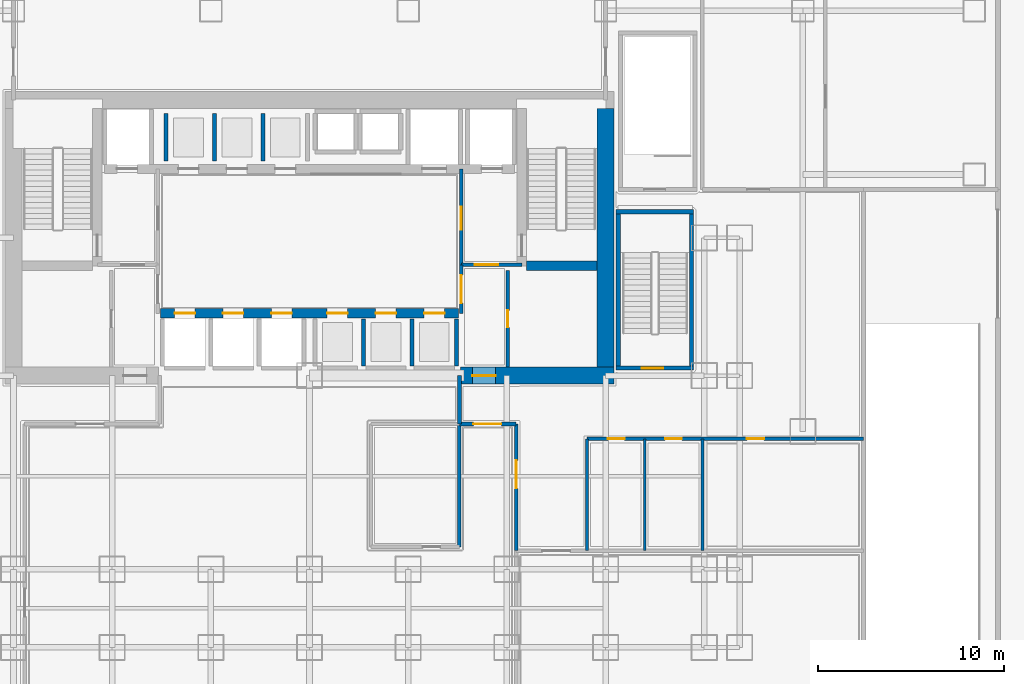
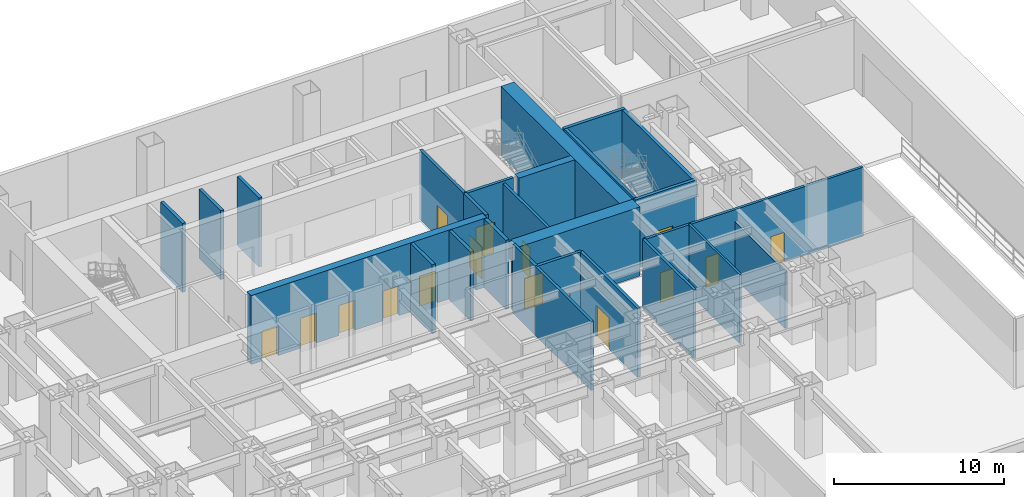
# One storey, part 12 of 18: 26 walls, 17 doors, 17 openings.
"""IFC4 building model written with IfcOpenShell, lengths in metres."""

from ifc_helpers import new_model, si_unit, direction, frame, frame_2d, origin, place, context, subcontext, project, spatial, rectangle, extrude, material, layer, layer_set, type_object, element, fill, save


model = new_model("IFC4")

# Units and contexts
model_context = context("Model", 3, precision=1e-05, world=origin(), true_north=direction((0.0, 1.0)))
body_context = subcontext(model_context, "Body", "Model", "MODEL_VIEW")
ifc_project = project(units=[si_unit("LENGTHUNIT", "METRE"), si_unit("AREAUNIT", "SQUARE_METRE"), si_unit("VOLUMEUNIT", "CUBIC_METRE"), si_unit("PLANEANGLEUNIT", "RADIAN"), si_unit("MASSUNIT", "GRAM", prefix="KILO")], contexts=[model_context])

# Site, building, storey
site_placement = place(None, origin())
site = spatial("IfcSite", under=ifc_project, at=site_placement, CompositionType="ELEMENT")
building_placement = place(site_placement, origin())
building = spatial("IfcBuilding", under=site, at=building_placement, Name="Qianlan Lanfeng Residences", CompositionType="ELEMENT")
storey_placement = place(building_placement, origin())
storey = spatial("IfcBuildingStorey", under=building, at=storey_placement, Name="L00", CompositionType="ELEMENT", Elevation=0.0)

# Wall
ifc_material_1 = material(Name="Concrete C70", Category="concrete")
ifc_layer_1 = layer(ifc_material_1, 0.5)
ifc_layer_set_1 = layer_set([ifc_layer_1], Name="Concrete C70")
wall_type_1 = type_object("IfcWallType", Name="CW-RC-500", PredefinedType="SHEAR", material=ifc_layer_set_1)
wall_1_placement = place(storey_placement, frame((38.14990234375, 31.10009765625, 0.0), z_axis=(0.0, 0.0, 1.0), x_axis=(1.0, 0.0, 0.0)))
element("IfcWall", 1, at=wall_1_placement, inside=storey, type_object=wall_type_1, Name="L00 Core Shear Wall ST2S", PredefinedType="SHEAR", context=body_context, shape_type="SweptSolid", body=[
    extrude(rectangle(XDim=3.800048828125, YDim=0.5, at=frame_2d((1.89990234375, 0.0))), origin(), (0.0, 0.0, 1.0), 4.949951171875),
])

# Wall, openings, doors
wall_2_placement = place(storey_placement, frame((18.5, 28.550048828125, 0.0), z_axis=(0.0, 0.0, 1.0), x_axis=(1.0, 0.0, 0.0)))
wall_2 = element("IfcWall", 2, at=wall_2_placement, inside=storey, type_object=wall_type_1, Name="L00 Core Shear Wall LBS", PredefinedType="SHEAR", context=body_context, shape_type="SweptSolid", body=[
    extrude(rectangle(XDim=16.0, YDim=0.5, at=frame_2d((8.0, 0.0))), origin(), (0.0, 0.0, 1.0), 4.949951171875),
])
opening_1_placement = place(wall_2_placement, frame((0.75, 0.0, 0.0)))
opening_1 = element("IfcOpeningElement", 3, at=opening_1_placement, cuts=wall_2, Name="Opening L00-LD-PL-L1", PredefinedType="OPENING", context=body_context, shape_type="SweptSolid", body=[
    extrude(rectangle(XDim=1.10009765625, YDim=2.14990234375, at=frame_2d((0.550048828125, 1.074951171875))), frame((0.0, 0.260009765625, 0.0), z_axis=(0.0, -1.0, 0.0), x_axis=(1.0, 0.0, 0.0)), (0.0, 0.0, 1.0), 0.52001953125),
])
opening_2_placement = place(wall_2_placement, frame((3.35009765625, 0.0, 0.0)))
opening_2 = element("IfcOpeningElement", 4, at=opening_2_placement, cuts=wall_2, Name="Opening L00-LD-PL-L2", PredefinedType="OPENING", context=body_context, shape_type="SweptSolid", body=[
    extrude(rectangle(XDim=1.10009765625, YDim=2.14990234375, at=frame_2d((0.550048828125, 1.074951171875))), frame((0.0, 0.260009765625, 0.0), z_axis=(0.0, -1.0, 0.0), x_axis=(1.0, 0.0, 0.0)), (0.0, 0.0, 1.0), 0.52001953125),
])
opening_3_placement = place(wall_2_placement, frame((5.949951171875, 0.0, 0.0)))
opening_3 = element("IfcOpeningElement", 5, at=opening_3_placement, cuts=wall_2, Name="Opening L00-LD-PL-L3", PredefinedType="OPENING", context=body_context, shape_type="SweptSolid", body=[
    extrude(rectangle(XDim=1.10009765625, YDim=2.14990234375, at=frame_2d((0.550048828125, 1.074951171875))), frame((0.0, 0.260009765625, 0.0), z_axis=(0.0, -1.0, 0.0), x_axis=(1.0, 0.0, 0.0)), (0.0, 0.0, 1.0), 0.52001953125),
])
opening_4_placement = place(wall_2_placement, frame((8.949951171875, 0.0, 0.0)))
opening_4 = element("IfcOpeningElement", 6, at=opening_4_placement, cuts=wall_2, Name="Opening L00-LD-PL-M1", PredefinedType="OPENING", context=body_context, shape_type="SweptSolid", body=[
    extrude(rectangle(XDim=1.10009765625, YDim=2.14990234375, at=frame_2d((0.550048828125, 1.074951171875))), frame((0.0, 0.260009765625, 0.0), z_axis=(0.0, -1.0, 0.0), x_axis=(1.0, 0.0, 0.0)), (0.0, 0.0, 1.0), 0.52001953125),
])
opening_5_placement = place(wall_2_placement, frame((11.550048828125, 0.0, 0.0)))
opening_5 = element("IfcOpeningElement", 7, at=opening_5_placement, cuts=wall_2, Name="Opening L00-LD-PL-M2", PredefinedType="OPENING", context=body_context, shape_type="SweptSolid", body=[
    extrude(rectangle(XDim=1.10009765625, YDim=2.14990234375, at=frame_2d((0.550048828125, 1.074951171875))), frame((0.0, 0.260009765625, 0.0), z_axis=(0.0, -1.0, 0.0), x_axis=(1.0, 0.0, 0.0)), (0.0, 0.0, 1.0), 0.52001953125),
])
opening_6_placement = place(wall_2_placement, frame((14.14990234375, 0.0, 0.0)))
opening_6 = element("IfcOpeningElement", 8, at=opening_6_placement, cuts=wall_2, Name="Opening L00-LD-PL-M3", PredefinedType="OPENING", context=body_context, shape_type="SweptSolid", body=[
    extrude(rectangle(XDim=1.10009765625, YDim=2.14990234375, at=frame_2d((0.550048828125, 1.074951171875))), frame((0.0, 0.260009765625, 0.0), z_axis=(0.0, -1.0, 0.0), x_axis=(1.0, 0.0, 0.0)), (0.0, 0.0, 1.0), 0.52001953125),
])
ifc_material_2 = material(Name="Brushed Stainless Steel Sliding Lift Door", Category="steel")
door_type_1 = type_object("IfcDoorType", Name="LD-01", OperationType="NOTDEFINED", PredefinedType="DOOR", material=ifc_material_2)
door_1_placement = place(opening_1_placement, origin())
door_1 = element("IfcDoor", 9, at=door_1_placement, inside=storey, type_object=door_type_1, Name="L00 Elevator PL-L1 Sliding Landing Door", OperationType="DOUBLE_DOOR_SLIDING", OverallHeight=2.14990234375, OverallWidth=1.10009765625, PredefinedType="DOOR", context=body_context, shape_type="SweptSolid", body=[
    extrude(rectangle(XDim=1.10009765625, YDim=2.14990234375, at=frame_2d((0.550048828125, 1.074951171875))), frame((0.0, 0.02490234375, 0.0), z_axis=(0.0, -1.0, 0.0), x_axis=(1.0, 0.0, 0.0)), (0.0, 0.0, 1.0), 0.050048828125),
])
fill(opening_1, door_1)
door_2_placement = place(opening_2_placement, origin())
door_2 = element("IfcDoor", 10, at=door_2_placement, inside=storey, type_object=door_type_1, Name="L00 Elevator PL-L2 Sliding Landing Door", OperationType="DOUBLE_DOOR_SLIDING", OverallHeight=2.14990234375, OverallWidth=1.10009765625, PredefinedType="DOOR", context=body_context, shape_type="SweptSolid", body=[
    extrude(rectangle(XDim=1.10009765625, YDim=2.14990234375, at=frame_2d((0.550048828125, 1.074951171875))), frame((0.0, 0.02490234375, 0.0), z_axis=(0.0, -1.0, 0.0), x_axis=(1.0, 0.0, 0.0)), (0.0, 0.0, 1.0), 0.050048828125),
])
fill(opening_2, door_2)
door_3_placement = place(opening_3_placement, origin())
door_3 = element("IfcDoor", 11, at=door_3_placement, inside=storey, type_object=door_type_1, Name="L00 Elevator PL-L3 Sliding Landing Door", OperationType="DOUBLE_DOOR_SLIDING", OverallHeight=2.14990234375, OverallWidth=1.10009765625, PredefinedType="DOOR", context=body_context, shape_type="SweptSolid", body=[
    extrude(rectangle(XDim=1.10009765625, YDim=2.14990234375, at=frame_2d((0.550048828125, 1.074951171875))), frame((0.0, 0.02490234375, 0.0), z_axis=(0.0, -1.0, 0.0), x_axis=(1.0, 0.0, 0.0)), (0.0, 0.0, 1.0), 0.050048828125),
])
fill(opening_3, door_3)
door_4_placement = place(opening_4_placement, origin())
door_4 = element("IfcDoor", 12, at=door_4_placement, inside=storey, type_object=door_type_1, Name="L00 Elevator PL-M1 Sliding Landing Door", OperationType="DOUBLE_DOOR_SLIDING", OverallHeight=2.14990234375, OverallWidth=1.10009765625, PredefinedType="DOOR", context=body_context, shape_type="SweptSolid", body=[
    extrude(rectangle(XDim=1.10009765625, YDim=2.14990234375, at=frame_2d((0.550048828125, 1.074951171875))), frame((0.0, 0.02490234375, 0.0), z_axis=(0.0, -1.0, 0.0), x_axis=(1.0, 0.0, 0.0)), (0.0, 0.0, 1.0), 0.050048828125),
])
fill(opening_4, door_4)
door_5_placement = place(opening_5_placement, origin())
door_5 = element("IfcDoor", 13, at=door_5_placement, inside=storey, type_object=door_type_1, Name="L00 Elevator PL-M2 Sliding Landing Door", OperationType="DOUBLE_DOOR_SLIDING", OverallHeight=2.14990234375, OverallWidth=1.10009765625, PredefinedType="DOOR", context=body_context, shape_type="SweptSolid", body=[
    extrude(rectangle(XDim=1.10009765625, YDim=2.14990234375, at=frame_2d((0.550048828125, 1.074951171875))), frame((0.0, 0.02490234375, 0.0), z_axis=(0.0, -1.0, 0.0), x_axis=(1.0, 0.0, 0.0)), (0.0, 0.0, 1.0), 0.050048828125),
])
fill(opening_5, door_5)
door_6_placement = place(opening_6_placement, origin())
door_6 = element("IfcDoor", 14, at=door_6_placement, inside=storey, type_object=door_type_1, Name="L00 Elevator PL-M3 Sliding Landing Door", OperationType="DOUBLE_DOOR_SLIDING", OverallHeight=2.14990234375, OverallWidth=1.10009765625, PredefinedType="DOOR", context=body_context, shape_type="SweptSolid", body=[
    extrude(rectangle(XDim=1.10009765625, YDim=2.14990234375, at=frame_2d((0.550048828125, 1.074951171875))), frame((0.0, 0.02490234375, 0.0), z_axis=(0.0, -1.0, 0.0), x_axis=(1.0, 0.0, 0.0)), (0.0, 0.0, 1.0), 0.050048828125),
])
fill(opening_6, door_6)

# Wall
ifc_layer_2 = layer(ifc_material_1, 0.89990234375)
ifc_layer_set_2 = layer_set([ifc_layer_2], Name="Concrete C70")
wall_type_2 = type_object("IfcWallType", Name="CW-RC-900", PredefinedType="SHEAR", material=ifc_layer_set_2)
wall_3_placement = place(storey_placement, frame((42.39990234375, 25.64990234375, 0.0), z_axis=(0.0, 0.0, 1.0), x_axis=(0.0, 1.0, 0.0)))
element("IfcWall", 15, at=wall_3_placement, inside=storey, type_object=wall_type_2, Name="L00 Core Shear Wall E", PredefinedType="SHEAR", context=body_context, shape_type="SweptSolid", body=[
    extrude(rectangle(XDim=13.900146484375, YDim=0.89990234375, at=frame_2d((6.9501953125, 0.0))), origin(), (0.0, 0.0, 1.0), 4.949951171875),
])

# Wall, opening, door
wall_4_placement = place(storey_placement, frame((34.60009765625, 25.199951171875, 0.0), z_axis=(0.0, 0.0, 1.0), x_axis=(1.0, 0.0, 0.0)))
wall_4 = element("IfcWall", 16, at=wall_4_placement, inside=storey, type_object=wall_type_2, Name="L00 Core Shear Wall SE", PredefinedType="SHEAR", context=body_context, shape_type="SweptSolid", body=[
    extrude(rectangle(XDim=8.25, YDim=0.89990234375, at=frame_2d((4.125, 0.0))), origin(), (0.0, 0.0, 1.0), 4.949951171875),
])
opening_7_placement = place(wall_4_placement, frame((0.64990234375, 0.0, 0.0)))
opening_7 = element("IfcOpeningElement", 17, at=opening_7_placement, cuts=wall_4, Name="Opening L00-D02", PredefinedType="OPENING", context=body_context, shape_type="SweptSolid", body=[
    extrude(rectangle(XDim=1.25, YDim=2.199951171875, at=frame_2d((0.625, 1.10009765625))), frame((0.0, 0.4599609375, 0.0), z_axis=(0.0, -1.0, 0.0), x_axis=(1.0, 0.0, 0.0)), (0.0, 0.0, 1.0), 0.919921875),
])
ifc_material_3 = material(Name="Painted Galvanised Steel Fire Door", Category="steel")
door_type_2 = type_object("IfcDoorType", Name="DT-FFL", OperationType="NOTDEFINED", PredefinedType="DOOR", material=ifc_material_3)
door_7_placement = place(opening_7_placement, frame((1.25, 0.0, 0.0), z_axis=(0.0, 0.0, 1.0), x_axis=(-1.0, 0.0, 0.0)))
door_7 = element("IfcDoor", 18, at=door_7_placement, inside=storey, type_object=door_type_2, Name="L00 East Core Lobby Smoke Door L00-D02 (DT-FFL)", OperationType="SINGLE_SWING_LEFT", OverallHeight=2.199951171875, OverallWidth=1.25, PredefinedType="DOOR", context=body_context, shape_type="SweptSolid", body=[
    extrude(rectangle(XDim=1.25, YDim=2.199951171875, at=frame_2d((0.625, 1.10009765625))), frame((0.0, 0.02490234375, 0.0), z_axis=(0.0, -1.0, 0.0), x_axis=(1.0, 0.0, 0.0)), (0.0, 0.0, 1.0), 0.050048828125),
])
fill(opening_7, door_7)

# Walls
ifc_material_4 = material(Name="Acoustic Drywall Partition 150 mm")
ifc_layer_3 = layer(ifc_material_4, 0.14990234375)
ifc_layer_set_3 = layer_set([ifc_layer_3], Name="Acoustic Drywall Partition 150 mm")
wall_type_3 = type_object("IfcWallType", Name="PW-150", PredefinedType="PARTITIONING", material=ifc_layer_set_3)
wall_5_placement = place(storey_placement, frame((44.5, 15.800048828125, 0.0), z_axis=(0.0, 0.0, 1.0), x_axis=(0.0, 1.0, 0.0)))
element("IfcWall", 19, at=wall_5_placement, inside=storey, type_object=wall_type_3, Name="L00 Public WC Divider", PredefinedType="PARTITIONING", context=body_context, shape_type="SweptSolid", body=[
    extrude(rectangle(XDim=6.0, YDim=0.14990234375, at=frame_2d((3.0, 0.0))), origin(), (0.0, 0.0, 1.0), 4.949951171875),
])
wall_6_placement = place(storey_placement, frame((47.60009765625, 15.800048828125, 0.0), z_axis=(0.0, 0.0, 1.0), x_axis=(0.0, 1.0, 0.0)))
element("IfcWall", 20, at=wall_6_placement, inside=storey, type_object=wall_type_3, Name="L00 Accessible WC Divider", PredefinedType="PARTITIONING", context=body_context, shape_type="SweptSolid", body=[
    extrude(rectangle(XDim=6.0, YDim=0.14990234375, at=frame_2d((3.0, 0.0))), origin(), (0.0, 0.0, 1.0), 4.094970703125),
])

# Wall, opening, door
ifc_material_5 = material(Name="Double-Layer Acoustic Gypsum Stud Wall 180 mm")
ifc_layer_4 = layer(ifc_material_5, 0.179931640625)
ifc_layer_set_4 = layer_set([ifc_layer_4], Name="Double-Layer Acoustic Gypsum Stud Wall 180 mm")
wall_type_4 = type_object("IfcWallType", Name="PW-180", PredefinedType="PARTITIONING", material=ifc_layer_set_4)
wall_7_placement = place(storey_placement, frame((37.14990234375, 25.64990234375, 0.0), z_axis=(0.0, 0.0, 1.0), x_axis=(0.0, 1.0, 0.0)))
wall_7 = element("IfcWall", 21, at=wall_7_placement, inside=storey, type_object=wall_type_4, Name="L00 Core East Service Room Wall", PredefinedType="PARTITIONING", context=body_context, shape_type="SweptSolid", body=[
    extrude(rectangle(XDim=5.2001953125, YDim=0.179931640625, at=frame_2d((2.60009765625, 0.0))), origin(), (0.0, 0.0, 1.0), 4.949951171875),
])
opening_8_placement = place(wall_7_placement, frame((2.139892578125, 0.0, 0.0)))
opening_8 = element("IfcOpeningElement", 22, at=opening_8_placement, cuts=wall_7, Name="Opening L00-D10", PredefinedType="OPENING", context=body_context, shape_type="SweptSolid", body=[
    extrude(rectangle(XDim=0.919921875, YDim=2.14990234375, at=frame_2d((0.4599609375, 1.074951171875))), frame((0.0, 0.10009765625, 0.0), z_axis=(0.0, -1.0, 0.0), x_axis=(1.0, 0.0, 0.0)), (0.0, 0.0, 1.0), 0.199951171875),
])
ifc_material_6 = material(Name="Glazed Timber Kitchen/Study Door", Category="wood")
door_type_3 = type_object("IfcDoorType", Name="DT-INT", OperationType="NOTDEFINED", PredefinedType="DOOR", material=ifc_material_6)
door_8_placement = place(opening_8_placement, origin())
door_8 = element("IfcDoor", 23, at=door_8_placement, inside=storey, type_object=door_type_3, Name="L00 Refuse Recycling Door L00-D10 (DT-INT)", OperationType="SINGLE_SWING_RIGHT", OverallHeight=2.14990234375, OverallWidth=0.919921875, PredefinedType="DOOR", context=body_context, shape_type="SweptSolid", body=[
    extrude(rectangle(XDim=0.919921875, YDim=2.14990234375, at=frame_2d((0.4599609375, 1.074951171875))), frame((0.0, 0.02490234375, 0.0), z_axis=(0.0, -1.0, 0.0), x_axis=(1.0, 0.0, 0.0)), (0.0, 0.0, 1.0), 0.050048828125),
])
fill(opening_8, door_8)

# Walls
wall_8_placement = place(storey_placement, frame((34.550048828125, 16.0, 0.0), z_axis=(0.0, 0.0, 1.0), x_axis=(0.0, 1.0, 0.0)))
element("IfcWall", 24, at=wall_8_placement, inside=storey, type_object=wall_type_4, Name="L00 Mail Room East Wall", PredefinedType="PARTITIONING", context=body_context, shape_type="SweptSolid", body=[
    extrude(rectangle(XDim=6.60009765625, YDim=0.179931640625, at=frame_2d((3.300048828125, 0.0))), origin(), (0.0, 0.0, 1.0), 4.949951171875),
])
wall_9_placement = place(storey_placement, frame((41.39990234375, 15.800048828125, 0.0), z_axis=(0.0, 0.0, 1.0), x_axis=(0.0, 1.0, 0.0)))
element("IfcWall", 25, at=wall_9_placement, inside=storey, type_object=wall_type_4, Name="L00 Restroom Block West Wall", PredefinedType="PARTITIONING", context=body_context, shape_type="SweptSolid", body=[
    extrude(rectangle(XDim=6.0, YDim=0.179931640625, at=frame_2d((3.0, 0.0))), origin(), (0.0, 0.0, 1.0), 4.949951171875),
])

# Wall, openings, doors
wall_10_placement = place(storey_placement, frame((41.39990234375, 21.800048828125, 0.0), z_axis=(0.0, 0.0, 1.0), x_axis=(1.0, 0.0, 0.0)))
wall_10 = element("IfcWall", 26, at=wall_10_placement, inside=storey, type_object=wall_type_4, Name="L00 Restroom and Management North Wall", PredefinedType="PARTITIONING", context=body_context, shape_type="SweptSolid", body=[
    extrude(rectangle(XDim=14.85009765625, YDim=0.179931640625, at=frame_2d((7.425048828125, 0.0))), origin(), (0.0, 0.0, 1.0), 4.949951171875),
])
opening_9_placement = place(wall_10_placement, frame((1.125, 0.0, 0.0)))
opening_9 = element("IfcOpeningElement", 27, at=opening_9_placement, cuts=wall_10, Name="Opening L00-D28", PredefinedType="OPENING", context=body_context, shape_type="SweptSolid", body=[
    extrude(rectangle(XDim=0.89990234375, YDim=2.14990234375, at=frame_2d((0.449951171875, 1.074951171875))), frame((0.0, 0.10009765625, 0.0), z_axis=(0.0, -1.0, 0.0), x_axis=(1.0, 0.0, 0.0)), (0.0, 0.0, 1.0), 0.199951171875),
])
opening_10_placement = place(wall_10_placement, frame((4.199951171875, 0.0, 0.0)))
opening_10 = element("IfcOpeningElement", 28, at=opening_10_placement, cuts=wall_10, Name="Opening L00-D29", PredefinedType="OPENING", context=body_context, shape_type="SweptSolid", body=[
    extrude(rectangle(XDim=0.89990234375, YDim=2.14990234375, at=frame_2d((0.449951171875, 1.074951171875))), frame((0.0, 0.10009765625, 0.0), z_axis=(0.0, -1.0, 0.0), x_axis=(1.0, 0.0, 0.0)), (0.0, 0.0, 1.0), 0.199951171875),
])
opening_11_placement = place(wall_10_placement, frame((8.590087890625, 0.0, 0.0)))
opening_11 = element("IfcOpeningElement", 29, at=opening_11_placement, cuts=wall_10, Name="Opening L00-D30", PredefinedType="OPENING", context=body_context, shape_type="SweptSolid", body=[
    extrude(rectangle(XDim=0.919921875, YDim=2.14990234375, at=frame_2d((0.4599609375, 1.074951171875))), frame((0.0, 0.10009765625, 0.0), z_axis=(0.0, -1.0, 0.0), x_axis=(1.0, 0.0, 0.0)), (0.0, 0.0, 1.0), 0.199951171875),
])
door_9_placement = place(opening_11_placement, origin())
door_9 = element("IfcDoor", 30, at=door_9_placement, inside=storey, type_object=door_type_3, Name="L00 Management Office Door L00-D30 (DT-INT)", OperationType="SINGLE_SWING_RIGHT", OverallHeight=2.14990234375, OverallWidth=0.919921875, PredefinedType="DOOR", context=body_context, shape_type="SweptSolid", body=[
    extrude(rectangle(XDim=0.919921875, YDim=2.14990234375, at=frame_2d((0.4599609375, 1.074951171875))), frame((0.0, 0.02490234375, 0.0), z_axis=(0.0, -1.0, 0.0), x_axis=(1.0, 0.0, 0.0)), (0.0, 0.0, 1.0), 0.050048828125),
])
fill(opening_11, door_9)
ifc_material_7 = material(Name="Moisture-Resistant Timber Leaf", Category="wood")
door_type_4 = type_object("IfcDoorType", Name="DT-WC", OperationType="NOTDEFINED", PredefinedType="DOOR", material=ifc_material_7)
door_10_placement = place(opening_9_placement, origin())
door_10 = element("IfcDoor", 31, at=door_10_placement, inside=storey, type_object=door_type_4, Name="L00 Public Restroom Door L00-D28 (DT-WC)", OperationType="SINGLE_SWING_RIGHT", OverallHeight=2.14990234375, OverallWidth=0.89990234375, PredefinedType="DOOR", context=body_context, shape_type="SweptSolid", body=[
    extrude(rectangle(XDim=0.89990234375, YDim=2.14990234375, at=frame_2d((0.449951171875, 1.074951171875))), frame((0.0, 0.02490234375, 0.0), z_axis=(0.0, -1.0, 0.0), x_axis=(1.0, 0.0, 0.0)), (0.0, 0.0, 1.0), 0.050048828125),
])
fill(opening_9, door_10)
door_11_placement = place(opening_10_placement, origin())
door_11 = element("IfcDoor", 32, at=door_11_placement, inside=storey, type_object=door_type_4, Name="L00 Accessible WC Door L00-D29 (DT-WC)", OperationType="SINGLE_SWING_LEFT", OverallHeight=2.14990234375, OverallWidth=0.89990234375, PredefinedType="DOOR", context=body_context, shape_type="SweptSolid", body=[
    extrude(rectangle(XDim=0.89990234375, YDim=2.14990234375, at=frame_2d((0.449951171875, 1.074951171875))), frame((0.0, 0.02490234375, 0.0), z_axis=(0.0, -1.0, 0.0), x_axis=(1.0, 0.0, 0.0)), (0.0, 0.0, 1.0), 0.050048828125),
])
fill(opening_10, door_11)

# Wall, opening, door
ifc_material_8 = material(Name="Autoclaved Aerated Concrete Blockwork 200 mm", Category="masonry")
ifc_layer_5 = layer(ifc_material_8, 0.199951171875)
ifc_layer_set_5 = layer_set([ifc_layer_5], Name="Autoclaved Aerated Concrete Blockwork 200 mm")
wall_type_5 = type_object("IfcWallType", Name="PW-200", PredefinedType="PARTITIONING", material=ifc_layer_set_5)
wall_11_placement = place(storey_placement, frame((34.64990234375, 31.14990234375, 0.0), z_axis=(0.0, 0.0, 1.0), x_axis=(1.0, 0.0, 0.0)))
wall_11 = element("IfcWall", 33, at=wall_11_placement, inside=storey, type_object=wall_type_5, Name="L00 Firefighting Lobby 2 South Wall", PredefinedType="PARTITIONING", context=body_context, shape_type="SweptSolid", body=[
    extrude(rectangle(XDim=3.25, YDim=0.199951171875, at=frame_2d((1.625, 0.0))), origin(), (0.0, 0.0, 1.0), 4.949951171875),
])
opening_12_placement = place(wall_11_placement, frame((0.72509765625, 0.0, 0.0)))
opening_12 = element("IfcOpeningElement", 34, at=opening_12_placement, cuts=wall_11, Name="Opening L00-D05", PredefinedType="OPENING", context=body_context, shape_type="SweptSolid", body=[
    extrude(rectangle(XDim=1.25, YDim=2.199951171875, at=frame_2d((0.625, 1.10009765625))), frame((0.0, 0.10986328125, 0.0), z_axis=(0.0, -1.0, 0.0), x_axis=(1.0, 0.0, 0.0)), (0.0, 0.0, 1.0), 0.219970703125),
])
door_12_placement = place(opening_12_placement, origin())
door_12 = element("IfcDoor", 35, at=door_12_placement, inside=storey, type_object=door_type_2, Name="L00 Firefighting Lobby 2 Entry Door L00-D05 (DT-FFL)", OperationType="SINGLE_SWING_RIGHT", OverallHeight=2.199951171875, OverallWidth=1.25, PredefinedType="DOOR", context=body_context, shape_type="SweptSolid", body=[
    extrude(rectangle(XDim=1.25, YDim=2.199951171875, at=frame_2d((0.625, 1.10009765625))), frame((0.0, 0.02490234375, 0.0), z_axis=(0.0, -1.0, 0.0), x_axis=(1.0, 0.0, 0.0)), (0.0, 0.0, 1.0), 0.050048828125),
])
fill(opening_12, door_12)

wall_12_placement = place(storey_placement, frame((34.64990234375, 31.14990234375, 0.0), z_axis=(0.0, 0.0, 1.0), x_axis=(0.0, 1.0, 0.0)))
wall_12 = element("IfcWall", 36, at=wall_12_placement, inside=storey, type_object=wall_type_5, Name="L00 Firefighting Lobby 2 West Wall", PredefinedType="PARTITIONING", context=body_context, shape_type="SweptSolid", body=[
    extrude(rectangle(XDim=5.150146484375, YDim=0.199951171875, at=frame_2d((2.5751953125, 0.0))), origin(), (0.0, 0.0, 1.0), 4.949951171875),
])
opening_13_placement = place(wall_12_placement, frame((1.875, 0.0, 0.0)))
opening_13 = element("IfcOpeningElement", 37, at=opening_13_placement, cuts=wall_12, Name="Opening L00-D06", PredefinedType="OPENING", context=body_context, shape_type="SweptSolid", body=[
    extrude(rectangle(XDim=1.25, YDim=2.199951171875, at=frame_2d((0.625, 1.10009765625))), frame((0.0, 0.10986328125, 0.0), z_axis=(0.0, -1.0, 0.0), x_axis=(1.0, 0.0, 0.0)), (0.0, 0.0, 1.0), 0.219970703125),
])
door_13_placement = place(opening_13_placement, origin())
door_13 = element("IfcDoor", 38, at=door_13_placement, inside=storey, type_object=door_type_2, Name="L00 Firefighting Lobby 2 Lift Lobby Door L00-D06 (DT-FFL)", OperationType="SINGLE_SWING_RIGHT", OverallHeight=2.199951171875, OverallWidth=1.25, PredefinedType="DOOR", context=body_context, shape_type="SweptSolid", body=[
    extrude(rectangle(XDim=1.25, YDim=2.199951171875, at=frame_2d((0.625, 1.10009765625))), frame((0.0, 0.02490234375, 0.0), z_axis=(0.0, -1.0, 0.0), x_axis=(1.0, 0.0, 0.0)), (0.0, 0.0, 1.0), 0.050048828125),
])
fill(opening_13, door_13)

wall_13_placement = place(storey_placement, frame((34.64990234375, 28.550048828125, 0.0), z_axis=(0.0, 0.0, 1.0), x_axis=(0.0, 1.0, 0.0)))
wall_13 = element("IfcWall", 39, at=wall_13_placement, inside=storey, type_object=wall_type_5, Name="L00 Lift Lobby East Connector Wall", PredefinedType="PARTITIONING", context=body_context, shape_type="SweptSolid", body=[
    extrude(rectangle(XDim=2.599853515625, YDim=0.199951171875, at=frame_2d((1.2998046875, 0.0))), origin(), (0.0, 0.0, 1.0), 4.949951171875),
])
opening_14_placement = place(wall_13_placement, frame((0.550048828125, 0.0, 0.0)))
opening_14 = element("IfcOpeningElement", 40, at=opening_14_placement, cuts=wall_13, Name="Opening L00-D16", PredefinedType="OPENING", context=body_context, shape_type="SweptSolid", body=[
    extrude(rectangle(XDim=1.5, YDim=2.25, at=frame_2d((0.75, 1.125))), frame((0.0, 0.10986328125, 0.0), z_axis=(0.0, -1.0, 0.0), x_axis=(1.0, 0.0, 0.0)), (0.0, 0.0, 1.0), 0.219970703125),
])
ifc_material_9 = material(Name="Timber Veneer Acoustic Fire Door", Category="wood")
door_type_5 = type_object("IfcDoorType", Name="DT-COR1", OperationType="NOTDEFINED", PredefinedType="DOOR", material=ifc_material_9)
door_14_placement = place(opening_14_placement, frame((1.5, 0.0, 0.0), z_axis=(0.0, 0.0, 1.0), x_axis=(-1.0, 0.0, 0.0)))
door_14 = element("IfcDoor", 41, at=door_14_placement, inside=storey, type_object=door_type_5, Name="L00 Lift Lobby East Portal Door L00-D16 (DT-COR1)", OperationType="DOUBLE_DOOR_SINGLE_SWING", OverallHeight=2.25, OverallWidth=1.5, PredefinedType="DOOR", context=body_context, shape_type="SweptSolid", body=[
    extrude(rectangle(XDim=1.5, YDim=2.25, at=frame_2d((0.75, 1.125))), frame((0.0, 0.02490234375, 0.0), z_axis=(0.0, -1.0, 0.0), x_axis=(1.0, 0.0, 0.0)), (0.0, 0.0, 1.0), 0.050048828125),
])
fill(opening_14, door_14)

wall_14_placement = place(storey_placement, frame((37.60009765625, 15.800048828125, 0.0), z_axis=(0.0, 0.0, 1.0), x_axis=(0.0, 1.0, 0.0)))
wall_14 = element("IfcWall", 42, at=wall_14_placement, inside=storey, type_object=wall_type_5, Name="L00 East Exit Hall Separation Wall", PredefinedType="PARTITIONING", context=body_context, shape_type="SweptSolid", body=[
    extrude(rectangle(XDim=6.800048828125, YDim=0.199951171875, at=frame_2d((3.39990234375, 0.0))), origin(), (0.0, 0.0, 1.0), 4.949951171875),
])
opening_15_placement = place(wall_14_placement, frame((3.35009765625, 0.0, 0.0)))
opening_15 = element("IfcOpeningElement", 43, at=opening_15_placement, cuts=wall_14, Name="Opening L00-D26", PredefinedType="OPENING", context=body_context, shape_type="SweptSolid", body=[
    extrude(rectangle(XDim=1.5, YDim=2.25, at=frame_2d((0.75, 1.125))), frame((0.0, 0.10986328125, 0.0), z_axis=(0.0, -1.0, 0.0), x_axis=(1.0, 0.0, 0.0)), (0.0, 0.0, 1.0), 0.219970703125),
])
door_15_placement = place(opening_15_placement, origin())
door_15 = element("IfcDoor", 44, at=door_15_placement, inside=storey, type_object=door_type_5, Name="L00 East Exit Hall Smoke Door L00-D26 (DT-COR1)", OperationType="DOUBLE_DOOR_SINGLE_SWING", OverallHeight=2.25, OverallWidth=1.5, PredefinedType="DOOR", context=body_context, shape_type="SweptSolid", body=[
    extrude(rectangle(XDim=1.5, YDim=2.25, at=frame_2d((0.75, 1.125))), frame((0.0, 0.02490234375, 0.0), z_axis=(0.0, -1.0, 0.0), x_axis=(1.0, 0.0, 0.0)), (0.0, 0.0, 1.0), 0.050048828125),
])
fill(opening_15, door_15)

wall_15_placement = place(storey_placement, frame((34.550048828125, 22.60009765625, 0.0), z_axis=(0.0, 0.0, 1.0), x_axis=(1.0, 0.0, 0.0)))
wall_15 = element("IfcWall", 45, at=wall_15_placement, inside=storey, type_object=wall_type_5, Name="L00 ST-2 Protected Exit Vestibule South Wall", PredefinedType="PARTITIONING", context=body_context, shape_type="SweptSolid", body=[
    extrude(rectangle(XDim=3.050048828125, YDim=0.199951171875, at=frame_2d((1.52490234375, 0.0))), origin(), (0.0, 0.0, 1.0), 4.949951171875),
])
opening_16_placement = place(wall_15_placement, frame((0.75, 0.0, 0.0)))
opening_16 = element("IfcOpeningElement", 46, at=opening_16_placement, cuts=wall_15, Name="Opening L00-D27", PredefinedType="OPENING", context=body_context, shape_type="SweptSolid", body=[
    extrude(rectangle(XDim=1.5, YDim=2.25, at=frame_2d((0.75, 1.125))), frame((0.0, 0.10986328125, 0.0), z_axis=(0.0, -1.0, 0.0), x_axis=(1.0, 0.0, 0.0)), (0.0, 0.0, 1.0), 0.219970703125),
])
door_16_placement = place(opening_16_placement, frame((1.5, 0.0, 0.0), z_axis=(0.0, 0.0, 1.0), x_axis=(-1.0, 0.0, 0.0)))
door_16 = element("IfcDoor", 47, at=door_16_placement, inside=storey, type_object=door_type_5, Name="L00 East Core Lobby Concierge Door L00-D27 (DT-COR1)", OperationType="DOUBLE_DOOR_SINGLE_SWING", OverallHeight=2.25, OverallWidth=1.5, PredefinedType="DOOR", context=body_context, shape_type="SweptSolid", body=[
    extrude(rectangle(XDim=1.5, YDim=2.25, at=frame_2d((0.75, 1.125))), frame((0.0, 0.02490234375, 0.0), z_axis=(0.0, -1.0, 0.0), x_axis=(1.0, 0.0, 0.0)), (0.0, 0.0, 1.0), 0.050048828125),
])
fill(opening_16, door_16)

# Walls
wall_16_placement = place(storey_placement, frame((34.550048828125, 22.60009765625, 0.0), z_axis=(0.0, 0.0, 1.0), x_axis=(0.0, 1.0, 0.0)))
element("IfcWall", 48, at=wall_16_placement, inside=storey, type_object=wall_type_5, Name="L00 ST-2 Protected Exit Vestibule West Wall", PredefinedType="PARTITIONING", context=body_context, shape_type="SweptSolid", body=[
    extrude(rectangle(XDim=2.599853515625, YDim=0.199951171875, at=frame_2d((1.2998046875, 0.0))), origin(), (0.0, 0.0, 1.0), 4.949951171875),
])
ifc_material_10 = material(Name="Concrete C49", Category="concrete")
ifc_layer_6 = layer(ifc_material_10, 0.219970703125)
ifc_layer_set_6 = layer_set([ifc_layer_6], Name="Concrete C49")
wall_type_6 = type_object("IfcWallType", Name="SHW-220", PredefinedType="SOLIDWALL", material=ifc_layer_set_6)
for number, where, z_axis, x_axis, name in (
    (49, (29.39990234375, 25.719970703125, 0.0), (0.0, 0.0, 1.0), (0.0, 1.0, 0.0), "L00 Lift PL-M2 Shaft Wall W"),
    (50, (32.0, 25.719970703125, 0.0), (0.0, 0.0, 1.0), (0.0, 1.0, 0.0), "L00 Lift PL-M3 Shaft Wall W"),
    (51, (34.39990234375, 25.719970703125, 0.0), (0.0, 0.0, 1.0), (0.0, 1.0, 0.0), "L00 Lift PL-M3 Shaft Wall E"),
):
    element("IfcWall", number, at=place(storey_placement, frame(where, z_axis=z_axis, x_axis=x_axis)), inside=storey, type_object=wall_type_6, Name=name, PredefinedType="SOLIDWALL", context=body_context, shape_type="SweptSolid", body=[
        extrude(rectangle(XDim=2.530029296875, YDim=0.219970703125, at=frame_2d((1.26513671875, 0.0))), origin(), (0.0, 0.0, 1.0), 4.949951171875),
    ])
for number, where, z_axis, x_axis, name in (
    (52, (18.800048828125, 36.719970703125, 0.0), (0.0, 0.0, 1.0), (0.0, 1.0, 0.0), "L00 Lift PL-H1 Shaft Wall W"),
    (53, (21.39990234375, 36.719970703125, 0.0), (0.0, 0.0, 1.0), (0.0, 1.0, 0.0), "L00 Lift PL-H2 Shaft Wall W"),
    (54, (24.0, 36.719970703125, 0.0), (0.0, 0.0, 1.0), (0.0, 1.0, 0.0), "L00 Lift PL-H3 Shaft Wall W"),
):
    element("IfcWall", number, at=place(storey_placement, frame(where, z_axis=z_axis, x_axis=x_axis)), inside=storey, type_object=wall_type_6, Name=name, PredefinedType="SOLIDWALL", context=body_context, shape_type="SweptSolid", body=[
        extrude(rectangle(XDim=2.56005859375, YDim=0.219970703125, at=frame_2d((1.280029296875, 0.0))), origin(), (0.0, 0.0, 1.0), 4.949951171875),
    ])
ifc_layer_7 = layer(ifc_material_10, 0.219970703125)
ifc_layer_set_7 = layer_set([ifc_layer_7], Name="Concrete C49")
wall_type_7 = type_object("IfcWallType", Name="STW-RC-220", PredefinedType="SHEAR", material=ifc_layer_set_7)
wall_17_placement = place(storey_placement, frame((42.969970703125, 34.0, 0.0), z_axis=(0.0, 0.0, 1.0), x_axis=(1.0, 0.0, 0.0)))
element("IfcWall", 55, at=wall_17_placement, inside=storey, type_object=wall_type_7, Name="L00 Stair ST-P1 Enclosure Wall N", PredefinedType="SHEAR", context=body_context, shape_type="SweptSolid", body=[
    extrude(rectangle(XDim=4.159912109375, YDim=0.219970703125, at=frame_2d((2.080078125, 0.0))), origin(), (0.0, 0.0, 1.0), 4.949951171875),
])
for number, where, z_axis, x_axis, name in (
    (56, (43.080078125, 25.7099609375, 0.0), (0.0, 0.0, 1.0), (0.0, 1.0, 0.0), "L00 Stair ST-P1 Enclosure Wall W"),
    (57, (47.02001953125, 25.7099609375, 0.0), (0.0, 0.0, 1.0), (0.0, 1.0, 0.0), "L00 Stair ST-P1 Enclosure Wall E"),
):
    element("IfcWall", number, at=place(storey_placement, frame(where, z_axis=z_axis, x_axis=x_axis)), inside=storey, type_object=wall_type_7, Name=name, PredefinedType="SHEAR", context=body_context, shape_type="SweptSolid", body=[
        extrude(rectangle(XDim=8.179931640625, YDim=0.219970703125, at=frame_2d((4.08984375, 0.0))), origin(), (0.0, 0.0, 1.0), 4.949951171875),
    ])

# Wall, opening, door
wall_18_placement = place(storey_placement, frame((42.969970703125, 25.60009765625, 0.0), z_axis=(0.0, 0.0, 1.0), x_axis=(1.0, 0.0, 0.0)))
wall_18 = element("IfcWall", 58, at=wall_18_placement, inside=storey, type_object=wall_type_7, Name="L00 Stair ST-P1 Enclosure Wall S", PredefinedType="SHEAR", context=body_context, shape_type="SweptSolid", body=[
    extrude(rectangle(XDim=4.159912109375, YDim=0.219970703125, at=frame_2d((2.080078125, 0.0))), origin(), (0.0, 0.0, 1.0), 4.949951171875),
])
opening_17_placement = place(wall_18_placement, frame((1.375, 0.0, 0.0)))
opening_17 = element("IfcOpeningElement", 59, at=opening_17_placement, cuts=wall_18, Name="Opening L00-D14", PredefinedType="OPENING", context=body_context, shape_type="SweptSolid", body=[
    extrude(rectangle(XDim=1.14990234375, YDim=2.199951171875, at=frame_2d((0.574951171875, 1.10009765625))), frame((0.0, 0.1201171875, 0.0), z_axis=(0.0, -1.0, 0.0), x_axis=(1.0, 0.0, 0.0)), (0.0, 0.0, 1.0), 0.239990234375),
])
door_type_6 = type_object("IfcDoorType", Name="DT-ST1", OperationType="NOTDEFINED", PredefinedType="DOOR", material=ifc_material_3)
door_17_placement = place(opening_17_placement, origin())
door_17 = element("IfcDoor", 60, at=door_17_placement, inside=storey, type_object=door_type_6, Name="L00 Podium Exit Stair ST-P1 Door L00-D14 (DT-ST1)", OperationType="SINGLE_SWING_RIGHT", OverallHeight=2.199951171875, OverallWidth=1.14990234375, PredefinedType="DOOR", context=body_context, shape_type="SweptSolid", body=[
    extrude(rectangle(XDim=1.14990234375, YDim=2.199951171875, at=frame_2d((0.574951171875, 1.10009765625))), frame((0.0, 0.02490234375, 0.0), z_axis=(0.0, -1.0, 0.0), x_axis=(1.0, 0.0, 0.0)), (0.0, 0.0, 1.0), 0.050048828125),
])
fill(opening_17, door_17)

save(model, "model.ifc")
